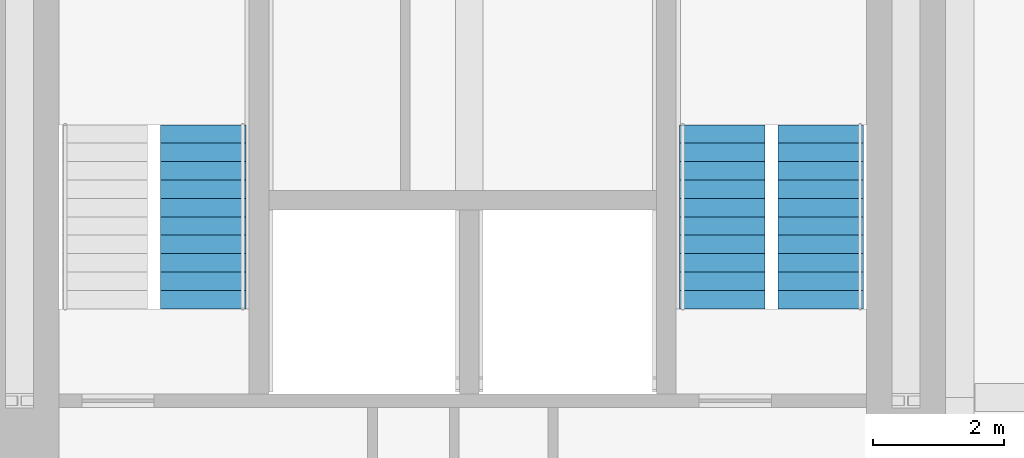
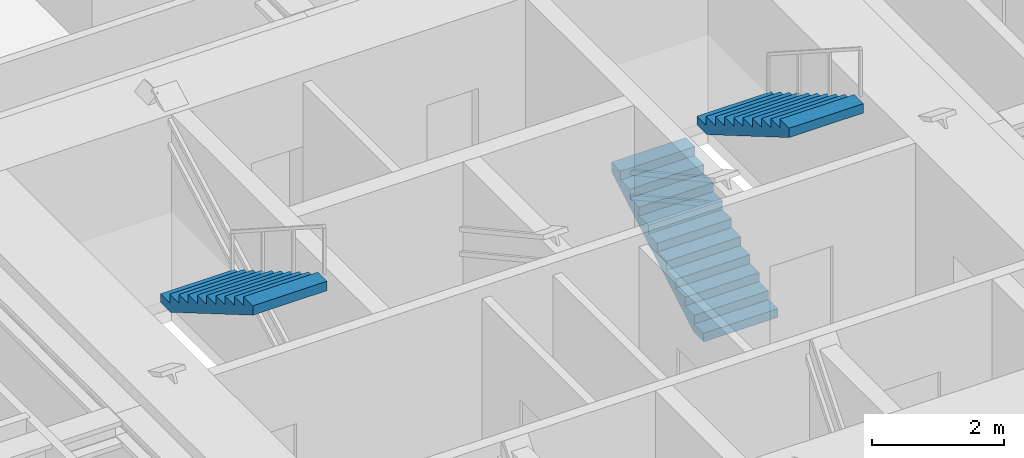
# One storey, part 14 of 15: 3 stair flights, 2 elements without a shape of their own.
"""IFC4 building model written with IfcOpenShell, lengths in metres."""

from ifc_helpers import new_model, si_unit, direction, frame, origin, place, context, subcontext, project, spatial, polyline, outline, extrude, material, type_object, element, aggregate, save


model = new_model("IFC4")

# Units and contexts
model_context = context("Model", 3, precision=1e-05, world=origin(), true_north=direction((0.0, 1.0)))
body_context = subcontext(model_context, "Body", "Model", "MODEL_VIEW")
ifc_project = project(units=[si_unit("LENGTHUNIT", "METRE"), si_unit("AREAUNIT", "SQUARE_METRE"), si_unit("VOLUMEUNIT", "CUBIC_METRE"), si_unit("PLANEANGLEUNIT", "RADIAN"), si_unit("MASSUNIT", "GRAM", prefix="KILO")], contexts=[model_context])

# Site, building, storey
site_placement = place(None, origin())
site = spatial("IfcSite", under=ifc_project, at=site_placement, CompositionType="ELEMENT")
building_placement = place(site_placement, origin())
building = spatial("IfcBuilding", under=site, at=building_placement, Name="Nyansa Garden Tower", CompositionType="ELEMENT")
storey_placement = place(building_placement, frame((0.0, 0.0, 32.39990234375)))
storey = spatial("IfcBuildingStorey", under=building, at=storey_placement, Name="L08", CompositionType="ELEMENT", Elevation=32.39990234375)

# Stair, stair flight
ifc_material_1 = material(Name="Precast concrete C40/50", Category="concrete")
stair_type_1 = type_object("IfcStairType", Name="Stair S1 164x280", PredefinedType="HALF_TURN_STAIR", material=ifc_material_1)
stair_1_placement = place(storey_placement, origin())
stair_1 = element("IfcStair", 1, at=stair_1_placement, inside=storey, type_object=stair_type_1, Name="Stair S1 L08", PredefinedType="HALF_TURN_STAIR")
ifc_material_2 = material(Name="Precast concrete C40/50", Category="concrete")
stair_flight_type_1 = type_object("IfcStairFlightType", Name="Stair flight S1 164x280x11", PredefinedType="STRAIGHT", material=ifc_material_2)
stair_flight_1_placement = place(storey_placement, frame((16.300048828125, 24.39990234375, 1.800048828125), z_axis=(0.0, 0.0, 1.0), x_axis=(0.0, -1.0, 0.0)))
stair_flight_1 = element("IfcStairFlight", 2, at=stair_flight_1_placement, type_object=stair_flight_type_1, Name="S1 flight 2", NumberOfRisers=11, NumberOfTreads=10, PredefinedType="STRAIGHT", RiserHeight=0.163636364, TreadLength=0.28, context=body_context, shape_type="SweptSolid", body=[
    extrude(outline(polyline([(0.0, 0.0), (0.0, 0.16357421875), (0.280029296875, 0.16357421875), (0.280029296875, 0.327392578125), (0.56005859375, 0.327392578125), (0.56005859375, 0.490966796875), (0.840087890625, 0.490966796875), (0.840087890625, 0.654541015625), (1.1201171875, 0.654541015625), (1.1201171875, 0.818115234375), (1.39990234375, 0.818115234375), (1.39990234375, 0.98193359375), (1.679931640625, 0.98193359375), (1.679931640625, 1.1455078125), (1.9599609375, 1.1455078125), (1.9599609375, 1.30908203125), (2.239990234375, 1.30908203125), (2.239990234375, 1.47265625), (2.52001953125, 1.47265625), (2.52001953125, 1.636474609375), (2.800048828125, 1.636474609375), (2.800048828125, 1.800048828125), (2.800048828125, 1.462646484375), (0.297119140625, 0.0), (0.0, 0.0)])), frame((0.0, 0.64990234375, 0.0), z_axis=(0.0, -1.0, 0.0), x_axis=(1.0, 0.0, 0.0)), (0.0, 0.0, 1.0), 1.300048828125),
])
aggregate(stair_1, [stair_flight_1])

# Stair, stair flights
ifc_material_3 = material(Name="Precast concrete C40/50", Category="concrete")
stair_type_2 = type_object("IfcStairType", Name="Stair S2 164x280", PredefinedType="HALF_TURN_STAIR", material=ifc_material_3)
stair_2_placement = place(storey_placement, origin())
stair_2 = element("IfcStair", 3, at=stair_2_placement, inside=storey, type_object=stair_type_2, Name="Stair S2 L08", PredefinedType="HALF_TURN_STAIR")
ifc_material_4 = material(Name="Precast concrete C40/50", Category="concrete")
stair_flight_type_2 = type_object("IfcStairFlightType", Name="Stair flight S2 164x280x11", PredefinedType="STRAIGHT", material=ifc_material_4)
stair_flight_2_placement = place(storey_placement, frame((24.199951171875, 21.60009765625, 0.0), z_axis=(0.0, 0.0, 1.0), x_axis=(0.0, 1.0, 0.0)))
stair_flight_2 = element("IfcStairFlight", 4, at=stair_flight_2_placement, type_object=stair_flight_type_2, Name="S2 flight 1", NumberOfRisers=11, NumberOfTreads=10, PredefinedType="STRAIGHT", RiserHeight=0.163636364, TreadLength=0.28, context=body_context, shape_type="SweptSolid", body=[
    extrude(outline(polyline([(0.0, 0.0), (0.0, 0.16357421875), (0.280029296875, 0.16357421875), (0.280029296875, 0.327392578125), (0.56005859375, 0.327392578125), (0.56005859375, 0.490966796875), (0.840087890625, 0.490966796875), (0.840087890625, 0.654541015625), (1.1201171875, 0.654541015625), (1.1201171875, 0.818115234375), (1.39990234375, 0.818115234375), (1.39990234375, 0.98193359375), (1.679931640625, 0.98193359375), (1.679931640625, 1.1455078125), (1.9599609375, 1.1455078125), (1.9599609375, 1.30908203125), (2.239990234375, 1.30908203125), (2.239990234375, 1.47265625), (2.52001953125, 1.47265625), (2.52001953125, 1.636474609375), (2.800048828125, 1.636474609375), (2.800048828125, 1.800048828125), (2.800048828125, 1.462646484375), (0.297119140625, 0.0), (0.0, 0.0)])), frame((0.0, 0.64990234375, 0.0), z_axis=(0.0, -1.0, 0.0), x_axis=(1.0, 0.0, 0.0)), (0.0, 0.0, 1.0), 1.300048828125),
])
stair_flight_3_placement = place(storey_placement, frame((25.699951171875, 24.39990234375, 1.800048828125), z_axis=(0.0, 0.0, 1.0), x_axis=(0.0, -1.0, 0.0)))
stair_flight_3 = element("IfcStairFlight", 5, at=stair_flight_3_placement, type_object=stair_flight_type_2, Name="S2 flight 2", NumberOfRisers=11, NumberOfTreads=10, PredefinedType="STRAIGHT", RiserHeight=0.163636364, TreadLength=0.28, context=body_context, shape_type="SweptSolid", body=[
    extrude(outline(polyline([(0.0, 0.0), (0.0, 0.16357421875), (0.280029296875, 0.16357421875), (0.280029296875, 0.327392578125), (0.56005859375, 0.327392578125), (0.56005859375, 0.490966796875), (0.840087890625, 0.490966796875), (0.840087890625, 0.654541015625), (1.1201171875, 0.654541015625), (1.1201171875, 0.818115234375), (1.39990234375, 0.818115234375), (1.39990234375, 0.98193359375), (1.679931640625, 0.98193359375), (1.679931640625, 1.1455078125), (1.9599609375, 1.1455078125), (1.9599609375, 1.30908203125), (2.239990234375, 1.30908203125), (2.239990234375, 1.47265625), (2.52001953125, 1.47265625), (2.52001953125, 1.636474609375), (2.800048828125, 1.636474609375), (2.800048828125, 1.800048828125), (2.800048828125, 1.462646484375), (0.297119140625, 0.0), (0.0, 0.0)])), frame((0.0, 0.64990234375, 0.0), z_axis=(0.0, -1.0, 0.0), x_axis=(1.0, 0.0, 0.0)), (0.0, 0.0, 1.0), 1.300048828125),
])
aggregate(stair_2, [stair_flight_2, stair_flight_3])

save(model, "model.ifc")
